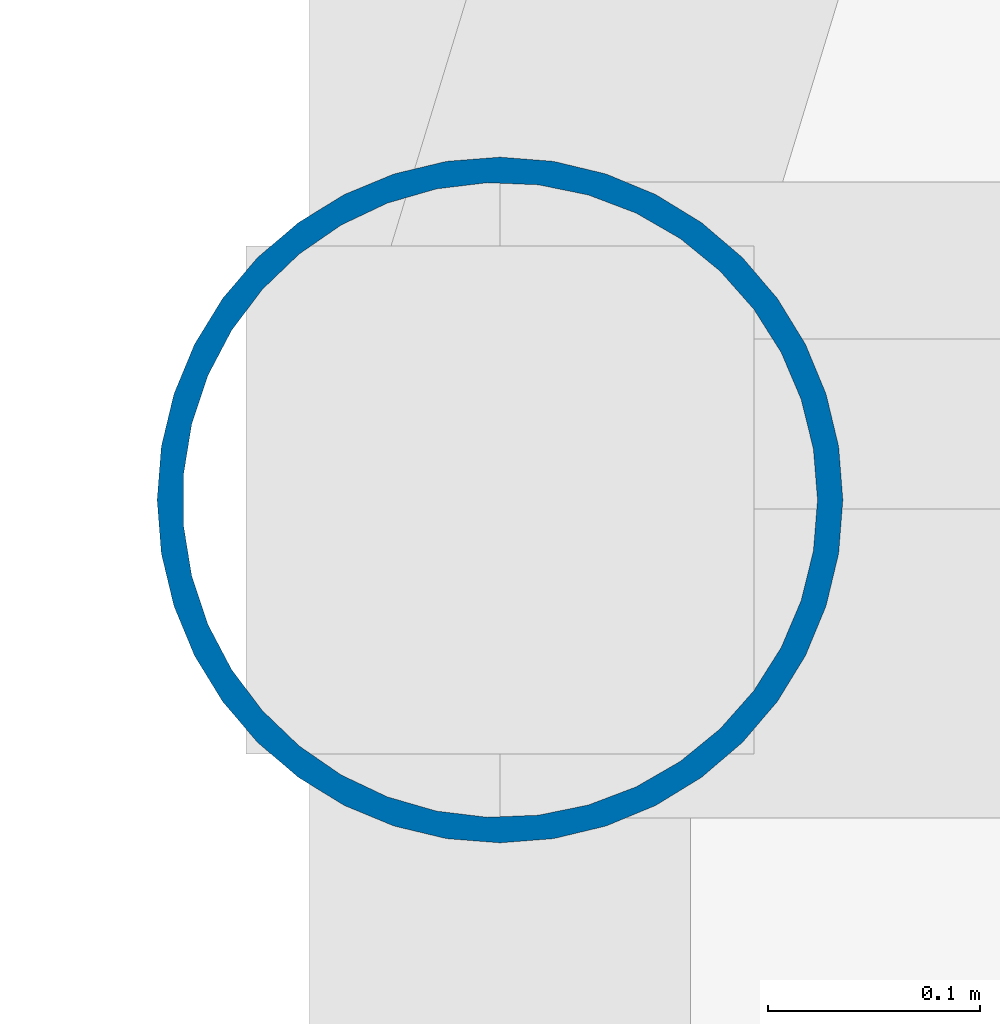
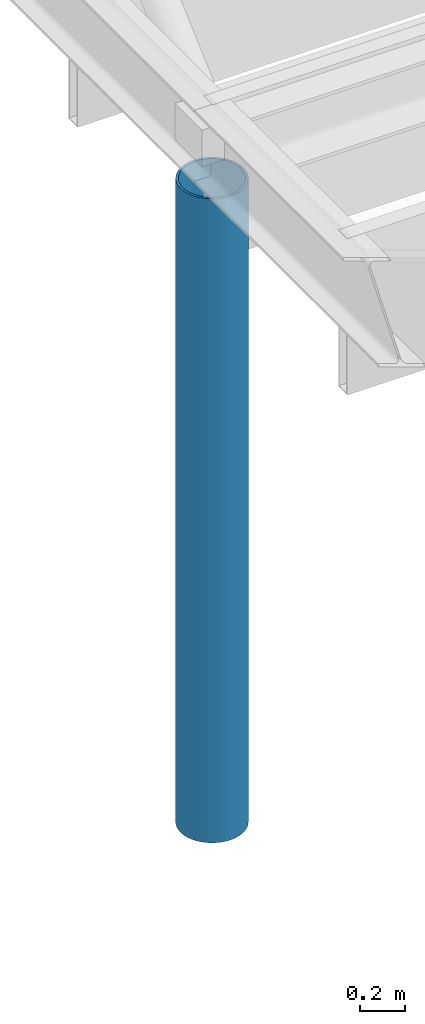
# One storey, part 2 of 47: 1 column.
"""IFC4 building model written with IfcOpenShell, lengths in metres."""

from ifc_helpers import new_model, si_unit, direction, frame, origin, origin_2d, place, context, subcontext, project, spatial, hollow_circle, extrude, material, material_profile, profile_set, type_object, element, save


model = new_model("IFC4")

# Units and contexts
model_context = context("Model", 3, precision=1e-05, world=origin(), true_north=direction((0.0, 1.0)))
body_context = subcontext(model_context, "Body", "Model", "MODEL_VIEW")
ifc_project = project(units=[si_unit("LENGTHUNIT", "METRE"), si_unit("AREAUNIT", "SQUARE_METRE"), si_unit("VOLUMEUNIT", "CUBIC_METRE"), si_unit("PLANEANGLEUNIT", "RADIAN"), si_unit("MASSUNIT", "GRAM", prefix="KILO")], contexts=[model_context])

# Site, building, storey
site_placement = place(None, origin())
site = spatial("IfcSite", under=ifc_project, at=site_placement, CompositionType="ELEMENT")
building_placement = place(site_placement, origin())
building = spatial("IfcBuilding", under=site, at=building_placement, Name="Mawjan Specialist Oncology Clinic", CompositionType="ELEMENT")
storey_placement = place(building_placement, frame((0.0, 0.0, 9.5)))
storey = spatial("IfcBuildingStorey", under=building, at=storey_placement, Name="L02", CompositionType="ELEMENT", Elevation=9.5)

# Column
ifc_material = material(Name="Structural steel S355", Category="steel")
ifc_material_profile = material_profile(ifc_material, hollow_circle(Radius=0.161865234375, WallThickness=0.011962890625, at=origin_2d()), Name="CHS 323.9x12", Category="steel")
ifc_profile_set = profile_set([ifc_material_profile], Name="Structural steel S355")
column_type = type_object("IfcColumnType", Name="SC-CHS324", PredefinedType="COLUMN", material=ifc_profile_set)
column_placement = place(storey_placement, frame((62.152587890625, 32.0, 0.0), z_axis=(0.0, 0.0, 1.0), x_axis=(1.0, 0.0, 0.0)))
element("IfcColumn", 1, at=column_placement, inside=storey, type_object=column_type, Name="Courtyard Canopy Column 1 L02", PredefinedType="COLUMN", context=body_context, shape_type="SweptSolid", body=[
    extrude(hollow_circle(Radius=0.161865234375, WallThickness=0.011962890625, at=origin_2d()), origin(), (0.0, 0.0, 1.0), 3.5),
])

save(model, "model.ifc")
